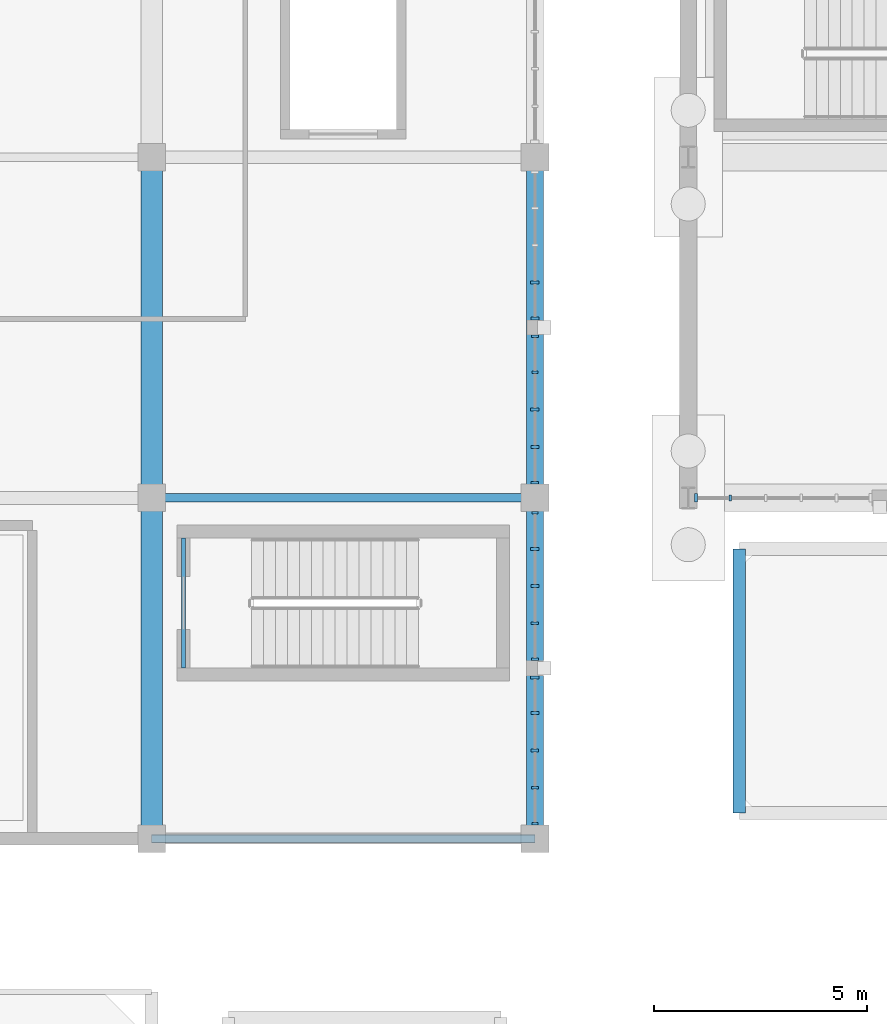
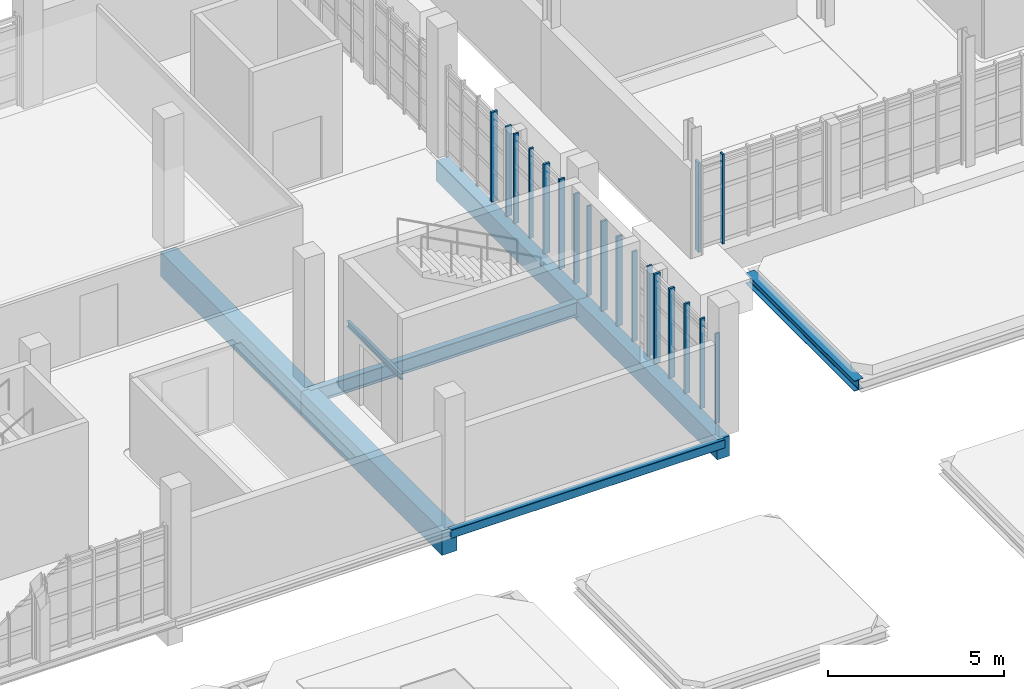
# One storey, part 27 of 125: 19 members, 8 beams, 5 elements without a shape of their own.
"""IFC4 building model written with IfcOpenShell, lengths in metres."""

from ifc_helpers import new_model, si_unit, direction, frame, origin, origin_2d, place, context, subcontext, project, spatial, rectangle, hollow_rectangle, i_section, extrude, material, material_profile, profile_set, type_object, element, aggregate, save


model = new_model("IFC4")

# Units and contexts
model_context = context("Model", 3, precision=1e-05, world=origin(), true_north=direction((0.0, 1.0)))
body_context = subcontext(model_context, "Body", "Model", "MODEL_VIEW")
ifc_project = project(units=[si_unit("LENGTHUNIT", "METRE"), si_unit("AREAUNIT", "SQUARE_METRE"), si_unit("VOLUMEUNIT", "CUBIC_METRE"), si_unit("PLANEANGLEUNIT", "RADIAN"), si_unit("MASSUNIT", "GRAM", prefix="KILO")], contexts=[model_context])

# Site, building, storey
site_placement = place(None, origin())
site = spatial("IfcSite", under=ifc_project, at=site_placement, CompositionType="ELEMENT")
building_placement = place(site_placement, origin())
building = spatial("IfcBuilding", under=site, at=building_placement, Name="Serraforn Aerial Cableway Station", CompositionType="ELEMENT")
storey_placement = place(building_placement, frame((0.0, 0.0, 4.5)))
storey = spatial("IfcBuildingStorey", under=building, at=storey_placement, Name="L01", CompositionType="ELEMENT", Elevation=4.5)

# Beams
ifc_material_1 = material(Name="Concrete C35/45", Category="concrete")
ifc_material_profile_1 = material_profile(ifc_material_1, rectangle(XDim=0.39990234375, YDim=0.699951171875, at=origin_2d()), Name="RC 400x700")
ifc_profile_set_1 = profile_set([ifc_material_profile_1], Name="Concrete C35/45")
beam_type_1 = type_object("IfcBeamType", Name="BM-RC-400x700E", PredefinedType="SPANDREL", material=ifc_profile_set_1)
for number, where, z_axis, x_axis, name in (
    (1, (90.60009765625, 18.0, -0.669921875), (0.0, 1.0, 0.0), (-1.0, 0.0, 0.0), "Grid Girder Y CV L01 X8-1"),
    (2, (90.60009765625, 26.0, -0.669921875), (0.0, 1.0, 0.0), (-1.0, 0.0, 0.0), "Grid Girder Y CV L01 X8-2"),
):
    element("IfcBeam", number, at=place(storey_placement, frame(where, z_axis=z_axis, x_axis=x_axis)), inside=storey, type_object=beam_type_1, Name=name, PredefinedType="SPANDREL", context=body_context, shape_type="SweptSolid", body=[
        extrude(rectangle(XDim=0.39990234375, YDim=0.699951171875, at=origin_2d()), origin(), (0.0, 0.0, 1.0), 8.0),
    ])
ifc_material_profile_2 = material_profile(ifc_material_1, rectangle(XDim=0.5, YDim=0.85009765625, at=origin_2d()), Name="RC 500x850")
ifc_profile_set_2 = profile_set([ifc_material_profile_2], Name="Concrete C35/45")
beam_type_2 = type_object("IfcBeamType", Name="BM-RC-500x850", PredefinedType="USERDEFINED", material=ifc_profile_set_2)
for number, where, z_axis, x_axis, name in (
    (3, (81.60009765625, 18.0, -0.7451171875), (0.0, 1.0, 0.0), (-1.0, 0.0, 0.0), "Grid Girder Y CV L01 X7-1"),
    (4, (81.60009765625, 26.0, -0.7451171875), (0.0, 1.0, 0.0), (-1.0, 0.0, 0.0), "Grid Girder Y CV L01 X7-2"),
):
    element("IfcBeam", number, at=place(storey_placement, frame(where, z_axis=z_axis, x_axis=x_axis)), inside=storey, type_object=beam_type_2, Name=name, ObjectType="GIRDER", PredefinedType="USERDEFINED", context=body_context, shape_type="SweptSolid", body=[
        extrude(rectangle(XDim=0.5, YDim=0.85009765625, at=origin_2d()), origin(), (0.0, 0.0, 1.0), 8.0),
    ])
ifc_material_2 = material(Name="Steel S355JR", Category="steel")
ifc_material_profile_3 = material_profile(ifc_material_2, i_section(OverallWidth=0.300048828125, OverallDepth=0.360107421875, WebThickness=0.010009765625, FlangeThickness=0.017578125, FilletRadius=0.027099609375, at=origin_2d()), Name="HEA 360")
ifc_profile_set_3 = profile_set([ifc_material_profile_3], Name="Steel S355JR")
beam_type_3 = type_object("IfcBeamType", Name="BM-ST-HEA360", PredefinedType="BEAM", material=ifc_profile_set_3)
beam_1_placement = place(storey_placement, frame((95.39990234375, 18.60009765625, -0.52001953125), z_axis=(0.0, 1.0, 0.0), x_axis=(-1.0, 0.0, 0.0)))
element("IfcBeam", 5, at=beam_1_placement, inside=storey, type_object=beam_type_3, Name="Colonnade Cross Beam CY-1-1", PredefinedType="BEAM", context=body_context, shape_type="SweptSolid", body=[
    extrude(i_section(OverallWidth=0.300048828125, OverallDepth=0.360107421875, WebThickness=0.010009765625, FlangeThickness=0.017578125, FilletRadius=0.027099609375, at=origin_2d()), origin(), (0.0, 0.0, 1.0), 6.199951171875),
])
ifc_material_profile_4 = material_profile(ifc_material_2, i_section(OverallWidth=0.10009765625, OverallDepth=0.199951171875, WebThickness=0.005615234375, FlangeThickness=0.008544921875, FilletRadius=0.011962890625, at=origin_2d()), Name="IPE 200")
ifc_profile_set_4 = profile_set([ifc_material_profile_4], Name="Steel S355JR")
beam_type_4 = type_object("IfcBeamType", Name="BM-ST-IPE200", PredefinedType="LINTEL", material=ifc_profile_set_4)
beam_2_placement = place(storey_placement, frame((82.35009765625, 22.0, 2.27490234375), z_axis=(0.0, 1.0, 0.0), x_axis=(-1.0, 0.0, 0.0)))
element("IfcBeam", 6, at=beam_2_placement, inside=storey, type_object=beam_type_4, Name="Stair Core Door Lintel D-S27", PredefinedType="LINTEL", context=body_context, shape_type="SweptSolid", body=[
    extrude(i_section(OverallWidth=0.10009765625, OverallDepth=0.199951171875, WebThickness=0.005615234375, FlangeThickness=0.008544921875, FilletRadius=0.011962890625, at=origin_2d()), origin(), (0.0, 0.0, 1.0), 3.06005859375),
])
ifc_material_profile_5 = material_profile(ifc_material_2, i_section(OverallWidth=0.199951171875, OverallDepth=0.5, WebThickness=0.01025390625, FlangeThickness=0.01611328125, FilletRadius=0.02099609375, at=origin_2d()), Name="IPE 500")
ifc_profile_set_5 = profile_set([ifc_material_profile_5], Name="Steel S355JR")
beam_type_5 = type_object("IfcBeamType", Name="BM-ST-IPE500", PredefinedType="USERDEFINED", material=ifc_profile_set_5)
beam_3_placement = place(storey_placement, frame((81.60009765625, 26.0, -0.570068359375), z_axis=(1.0, 0.0, 0.0), x_axis=(0.0, 1.0, 0.0)))
element("IfcBeam", 7, at=beam_3_placement, inside=storey, type_object=beam_type_5, Name="Grid Girder X CV L01 Y2-7", ObjectType="GIRDER", PredefinedType="USERDEFINED", context=body_context, shape_type="SweptSolid", body=[
    extrude(i_section(OverallWidth=0.199951171875, OverallDepth=0.5, WebThickness=0.01025390625, FlangeThickness=0.01611328125, FilletRadius=0.02099609375, at=origin_2d()), origin(), (0.0, 0.0, 1.0), 9.0),
])
ifc_material_3 = material(Name="Steel S355J2", Category="steel")
ifc_material_profile_6 = material_profile(ifc_material_3, hollow_rectangle(XDim=0.199951171875, YDim=0.300048828125, WallThickness=0.012451171875, InnerFilletRadius=0.012451171875, OuterFilletRadius=0.02490234375, at=origin_2d()), Name="RHS 300x200x12.5")
ifc_profile_set_6 = profile_set([ifc_material_profile_6], Name="Steel S355J2")
beam_type_6 = type_object("IfcBeamType", Name="BM-ST-RHS300", PredefinedType="SPANDREL", material=ifc_profile_set_6)
beam_4_placement = place(storey_placement, frame((81.60009765625, 18.0, -0.469970703125), z_axis=(1.0, 0.0, 0.0), x_axis=(0.0, 1.0, 0.0)))
element("IfcBeam", 8, at=beam_4_placement, inside=storey, type_object=beam_type_6, Name="Grid Girder X CV L01 Y1-7", PredefinedType="SPANDREL", context=body_context, shape_type="SweptSolid", body=[
    extrude(hollow_rectangle(XDim=0.199951171875, YDim=0.300048828125, WallThickness=0.012451171875, InnerFilletRadius=0.012451171875, OuterFilletRadius=0.02490234375, at=origin_2d()), origin(), (0.0, 0.0, 1.0), 9.0),
])

# Curtain wall, member
ifc_material_4 = material(Name="Anodised bronze unitised curtain wall")
curtain_wall_type_1 = type_object("IfcCurtainWallType", Name="CW-SYS-1", PredefinedType="USERDEFINED", material=ifc_material_4)
curtain_wall_1_placement = place(storey_placement, origin())
curtain_wall_1 = element("IfcCurtainWall", 9, at=curtain_wall_1_placement, inside=storey, type_object=curtain_wall_type_1, Name="Unitised Curtain Wall CW-CV-L01-E1A", ObjectType="UNITISED CURTAIN WALL", PredefinedType="USERDEFINED")
ifc_material_5 = material(Name="Anodised bronze extruded aluminium", Category="aluminium")
ifc_material_profile_7 = material_profile(ifc_material_5, rectangle(XDim=0.054931640625, YDim=0.139892578125, at=origin_2d()), Name="CW MULLION 55x140")
ifc_profile_set_7 = profile_set([ifc_material_profile_7], Name="Anodised bronze extruded aluminium")
member_type_1 = type_object("IfcMemberType", Name="CW-MUL-1", PredefinedType="MULLION", material=ifc_profile_set_7)
member_1_placement = place(storey_placement, frame((90.60009765625, 18.3505859375, 0.0), z_axis=(0.0, 0.0, 1.0), x_axis=(0.0, 1.0, 0.0)))
member_1 = element("IfcMember", 10, at=member_1_placement, type_object=member_type_1, Name="Curtain Wall Mullion CW-CV-L01-E1A-M1", PredefinedType="MULLION", context=body_context, shape_type="SweptSolid", body=[
    extrude(rectangle(XDim=0.054931640625, YDim=0.139892578125, at=origin_2d()), origin(), (0.0, 0.0, 1.0), 3.1201171875),
])

curtain_wall_type_2 = type_object("IfcCurtainWallType", Name="CW-SYS-2", PredefinedType="USERDEFINED", material=ifc_material_4)
curtain_wall_2_placement = place(storey_placement, origin())
curtain_wall_2 = element("IfcCurtainWall", 11, at=curtain_wall_2_placement, inside=storey, type_object=curtain_wall_type_2, Name="Unitised Curtain Wall CW-CV-L01-E1B", ObjectType="UNITISED CURTAIN WALL", PredefinedType="USERDEFINED")
member_2_placement = place(storey_placement, frame((90.60009765625, 25.6494140625, 0.0), z_axis=(0.0, 0.0, 1.0), x_axis=(0.0, 1.0, 0.0)))
member_2 = element("IfcMember", 12, at=member_2_placement, type_object=member_type_1, Name="Curtain Wall Mullion CW-CV-L01-E1B-M5", PredefinedType="MULLION", context=body_context, shape_type="SweptSolid", body=[
    extrude(rectangle(XDim=0.054931640625, YDim=0.139892578125, at=origin_2d()), origin(), (0.0, 0.0, 1.0), 3.1201171875),
])

curtain_wall_type_3 = type_object("IfcCurtainWallType", Name="CW-SYS-3", PredefinedType="USERDEFINED", material=ifc_material_4)
curtain_wall_3_placement = place(storey_placement, origin())
curtain_wall_3 = element("IfcCurtainWall", 13, at=curtain_wall_3_placement, inside=storey, type_object=curtain_wall_type_3, Name="Unitised Curtain Wall CW-CV-L01-E2A", ObjectType="UNITISED CURTAIN WALL", PredefinedType="USERDEFINED")
member_3_placement = place(storey_placement, frame((90.60009765625, 28.94580078125, 0.0), z_axis=(0.0, 0.0, 1.0), x_axis=(0.0, 1.0, 0.0)))
member_3 = element("IfcMember", 14, at=member_3_placement, type_object=member_type_1, Name="Curtain Wall Mullion CW-CV-L01-E2A-M4", PredefinedType="MULLION", context=body_context, shape_type="SweptSolid", body=[
    extrude(rectangle(XDim=0.054931640625, YDim=0.139892578125, at=origin_2d()), origin(), (0.0, 0.0, 1.0), 3.1201171875),
])

curtain_wall_type_4 = type_object("IfcCurtainWallType", Name="CW-SYS-9", PredefinedType="USERDEFINED", material=ifc_material_4)
curtain_wall_4_placement = place(storey_placement, origin())
curtain_wall_4 = element("IfcCurtainWall", 15, at=curtain_wall_4_placement, inside=storey, type_object=curtain_wall_type_4, Name="Unitised Curtain Wall CW-EL-L01-S1A", ObjectType="UNITISED CURTAIN WALL", PredefinedType="USERDEFINED")
member_4_placement = place(storey_placement, frame((95.182373046875, 26.0, 0.0), z_axis=(0.0, 0.0, 1.0), x_axis=(1.0, 0.0, 0.0)))
member_4 = element("IfcMember", 16, at=member_4_placement, type_object=member_type_1, Name="Curtain Wall Mullion CW-EL-L01-S1A-M2", PredefinedType="MULLION", context=body_context, shape_type="SweptSolid", body=[
    extrude(rectangle(XDim=0.054931640625, YDim=0.139892578125, at=origin_2d()), origin(), (0.0, 0.0, 1.0), 3.1201171875),
])

# Member
ifc_material_profile_8 = material_profile(ifc_material_5, rectangle(XDim=0.06005859375, YDim=0.159912109375, at=origin_2d()), Name="CW MULLION 60x160")
ifc_profile_set_8 = profile_set([ifc_material_profile_8], Name="Anodised bronze extruded aluminium")
member_type_2 = type_object("IfcMemberType", Name="CW-MUL-2", PredefinedType="MULLION", material=ifc_profile_set_8)
member_5_placement = place(storey_placement, frame((90.60009765625, 19.197265625, 0.0), z_axis=(0.0, 0.0, 1.0), x_axis=(0.0, 1.0, 0.0)))
member_5 = element("IfcMember", 17, at=member_5_placement, type_object=member_type_2, Name="Curtain Wall Mullion CW-CV-L01-E1A-M2", PredefinedType="MULLION", context=body_context, shape_type="SweptSolid", body=[
    extrude(rectangle(XDim=0.06005859375, YDim=0.159912109375, at=origin_2d()), origin(), (0.0, 0.0, 1.0), 3.1201171875),
])

member_6_placement = place(storey_placement, frame((90.60009765625, 22.2099609375, 0.0), z_axis=(0.0, 0.0, 1.0), x_axis=(0.0, 1.0, 0.0)))
member_6 = element("IfcMember", 18, at=member_6_placement, type_object=member_type_2, Name="Curtain Wall Mullion CW-CV-L01-E1B-M1", PredefinedType="MULLION", context=body_context, shape_type="SweptSolid", body=[
    extrude(rectangle(XDim=0.06005859375, YDim=0.159912109375, at=origin_2d()), origin(), (0.0, 0.0, 1.0), 3.1201171875),
])

member_7_placement = place(storey_placement, frame((90.60009765625, 29.7900390625, 0.0), z_axis=(0.0, 0.0, 1.0), x_axis=(0.0, 1.0, 0.0)))
member_7 = element("IfcMember", 19, at=member_7_placement, type_object=member_type_2, Name="Curtain Wall Mullion CW-CV-L01-E2A-M5", PredefinedType="MULLION", context=body_context, shape_type="SweptSolid", body=[
    extrude(rectangle(XDim=0.06005859375, YDim=0.159912109375, at=origin_2d()), origin(), (0.0, 0.0, 1.0), 3.1201171875),
])

ifc_material_profile_9 = material_profile(ifc_material_5, rectangle(XDim=0.06494140625, YDim=0.175048828125, at=origin_2d()), Name="CW MULLION 65x175")
ifc_profile_set_9 = profile_set([ifc_material_profile_9], Name="Anodised bronze extruded aluminium")
member_type_3 = type_object("IfcMemberType", Name="CW-MUL-3", PredefinedType="MULLION", material=ifc_profile_set_9)
member_8_placement = place(storey_placement, frame((90.60009765625, 20.071533203125, 0.0), z_axis=(0.0, 0.0, 1.0), x_axis=(0.0, 1.0, 0.0)))
member_8 = element("IfcMember", 20, at=member_8_placement, type_object=member_type_3, Name="Curtain Wall Mullion CW-CV-L01-E1A-M3", PredefinedType="MULLION", context=body_context, shape_type="SweptSolid", body=[
    extrude(rectangle(XDim=0.06494140625, YDim=0.175048828125, at=origin_2d()), origin(), (0.0, 0.0, 1.0), 3.1201171875),
])

member_9_placement = place(storey_placement, frame((90.60009765625, 23.05419921875, 0.0), z_axis=(0.0, 0.0, 1.0), x_axis=(0.0, 1.0, 0.0)))
member_9 = element("IfcMember", 21, at=member_9_placement, type_object=member_type_3, Name="Curtain Wall Mullion CW-CV-L01-E1B-M2", PredefinedType="MULLION", context=body_context, shape_type="SweptSolid", body=[
    extrude(rectangle(XDim=0.06494140625, YDim=0.175048828125, at=origin_2d()), origin(), (0.0, 0.0, 1.0), 3.1201171875),
])

member_10_placement = place(storey_placement, frame((90.60009765625, 26.35546875, 0.0), z_axis=(0.0, 0.0, 1.0), x_axis=(0.0, 1.0, 0.0)))
member_10 = element("IfcMember", 22, at=member_10_placement, type_object=member_type_3, Name="Curtain Wall Mullion CW-CV-L01-E2A-M1", PredefinedType="MULLION", context=body_context, shape_type="SweptSolid", body=[
    extrude(rectangle(XDim=0.06494140625, YDim=0.175048828125, at=origin_2d()), origin(), (0.0, 0.0, 1.0), 3.1201171875),
])

ifc_material_profile_10 = material_profile(ifc_material_5, rectangle(XDim=0.070068359375, YDim=0.18994140625, at=origin_2d()), Name="CW MULLION 70x190")
ifc_profile_set_10 = profile_set([ifc_material_profile_10], Name="Anodised bronze extruded aluminium")
member_type_4 = type_object("IfcMemberType", Name="CW-MUL-4", PredefinedType="MULLION", material=ifc_profile_set_10)
member_11_placement = place(storey_placement, frame((90.60009765625, 20.94580078125, 0.0), z_axis=(0.0, 0.0, 1.0), x_axis=(0.0, 1.0, 0.0)))
member_11 = element("IfcMember", 23, at=member_11_placement, type_object=member_type_4, Name="Curtain Wall Mullion CW-CV-L01-E1A-M4", PredefinedType="MULLION", context=body_context, shape_type="SweptSolid", body=[
    extrude(rectangle(XDim=0.070068359375, YDim=0.18994140625, at=origin_2d()), origin(), (0.0, 0.0, 1.0), 3.1201171875),
])

member_12_placement = place(storey_placement, frame((90.60009765625, 23.928466796875, 0.0), z_axis=(0.0, 0.0, 1.0), x_axis=(0.0, 1.0, 0.0)))
member_12 = element("IfcMember", 24, at=member_12_placement, type_object=member_type_4, Name="Curtain Wall Mullion CW-CV-L01-E1B-M3", PredefinedType="MULLION", context=body_context, shape_type="SweptSolid", body=[
    extrude(rectangle(XDim=0.070068359375, YDim=0.18994140625, at=origin_2d()), origin(), (0.0, 0.0, 1.0), 3.1201171875),
])

member_13_placement = place(storey_placement, frame((90.60009765625, 27.197265625, 0.0), z_axis=(0.0, 0.0, 1.0), x_axis=(0.0, 1.0, 0.0)))
member_13 = element("IfcMember", 25, at=member_13_placement, type_object=member_type_4, Name="Curtain Wall Mullion CW-CV-L01-E2A-M2", PredefinedType="MULLION", context=body_context, shape_type="SweptSolid", body=[
    extrude(rectangle(XDim=0.070068359375, YDim=0.18994140625, at=origin_2d()), origin(), (0.0, 0.0, 1.0), 3.1201171875),
])

# Curtain wall, member
curtain_wall_type_5 = type_object("IfcCurtainWallType", Name="CW-SYS-4", PredefinedType="USERDEFINED", material=ifc_material_4)
curtain_wall_5_placement = place(storey_placement, origin())
curtain_wall_5 = element("IfcCurtainWall", 26, at=curtain_wall_5_placement, inside=storey, type_object=curtain_wall_type_5, Name="Unitised Curtain Wall CW-CV-L01-E2B", ObjectType="UNITISED CURTAIN WALL", PredefinedType="USERDEFINED")
member_14_placement = place(storey_placement, frame((90.60009765625, 30.215087890625, 0.0), z_axis=(0.0, 0.0, 1.0), x_axis=(0.0, 1.0, 0.0)))
member_14 = element("IfcMember", 27, at=member_14_placement, type_object=member_type_4, Name="Curtain Wall Mullion CW-CV-L01-E2B-M1", PredefinedType="MULLION", context=body_context, shape_type="SweptSolid", body=[
    extrude(rectangle(XDim=0.070068359375, YDim=0.18994140625, at=origin_2d()), origin(), (0.0, 0.0, 1.0), 3.1201171875),
])

# Member
ifc_material_profile_11 = material_profile(ifc_material_5, rectangle(XDim=0.074951171875, YDim=0.199951171875, at=origin_2d()), Name="CW MULLION 75x200")
ifc_profile_set_11 = profile_set([ifc_material_profile_11], Name="Anodised bronze extruded aluminium")
member_type_5 = type_object("IfcMemberType", Name="CW-MUL-5", PredefinedType="MULLION", material=ifc_profile_set_11)
member_15_placement = place(storey_placement, frame((90.60009765625, 21.782470703125, 0.0), z_axis=(0.0, 0.0, 1.0), x_axis=(0.0, 1.0, 0.0)))
member_15 = element("IfcMember", 28, at=member_15_placement, type_object=member_type_5, Name="Curtain Wall Mullion CW-CV-L01-E1A-M5", PredefinedType="MULLION", context=body_context, shape_type="SweptSolid", body=[
    extrude(rectangle(XDim=0.074951171875, YDim=0.199951171875, at=origin_2d()), origin(), (0.0, 0.0, 1.0), 3.1201171875),
])

aggregate(curtain_wall_1, [member_1, member_5, member_8, member_11, member_15])

member_16_placement = place(storey_placement, frame((90.60009765625, 24.802734375, 0.0), z_axis=(0.0, 0.0, 1.0), x_axis=(0.0, 1.0, 0.0)))
member_16 = element("IfcMember", 29, at=member_16_placement, type_object=member_type_5, Name="Curtain Wall Mullion CW-CV-L01-E1B-M4", PredefinedType="MULLION", context=body_context, shape_type="SweptSolid", body=[
    extrude(rectangle(XDim=0.074951171875, YDim=0.199951171875, at=origin_2d()), origin(), (0.0, 0.0, 1.0), 3.1201171875),
])

aggregate(curtain_wall_2, [member_6, member_9, member_12, member_16, member_2])

member_17_placement = place(storey_placement, frame((90.60009765625, 28.071533203125, 0.0), z_axis=(0.0, 0.0, 1.0), x_axis=(0.0, 1.0, 0.0)))
member_17 = element("IfcMember", 30, at=member_17_placement, type_object=member_type_5, Name="Curtain Wall Mullion CW-CV-L01-E2A-M3", PredefinedType="MULLION", context=body_context, shape_type="SweptSolid", body=[
    extrude(rectangle(XDim=0.074951171875, YDim=0.199951171875, at=origin_2d()), origin(), (0.0, 0.0, 1.0), 3.1201171875),
])

aggregate(curtain_wall_3, [member_10, member_13, member_17, member_3, member_7])

member_18_placement = place(storey_placement, frame((90.60009765625, 31.05419921875, 0.0), z_axis=(0.0, 0.0, 1.0), x_axis=(0.0, 1.0, 0.0)))
member_18 = element("IfcMember", 31, at=member_18_placement, type_object=member_type_5, Name="Curtain Wall Mullion CW-CV-L01-E2B-M2", PredefinedType="MULLION", context=body_context, shape_type="SweptSolid", body=[
    extrude(rectangle(XDim=0.074951171875, YDim=0.199951171875, at=origin_2d()), origin(), (0.0, 0.0, 1.0), 3.1201171875),
])

aggregate(curtain_wall_5, [member_14, member_18])

member_19_placement = place(storey_placement, frame((94.385498046875, 26.0, 0.0), z_axis=(0.0, 0.0, 1.0), x_axis=(1.0, 0.0, 0.0)))
member_19 = element("IfcMember", 32, at=member_19_placement, type_object=member_type_5, Name="Curtain Wall Mullion CW-EL-L01-S1A-M1", PredefinedType="MULLION", context=body_context, shape_type="SweptSolid", body=[
    extrude(rectangle(XDim=0.074951171875, YDim=0.199951171875, at=origin_2d()), origin(), (0.0, 0.0, 1.0), 3.1201171875),
])

aggregate(curtain_wall_4, [member_19, member_4])

save(model, "model.ifc")
